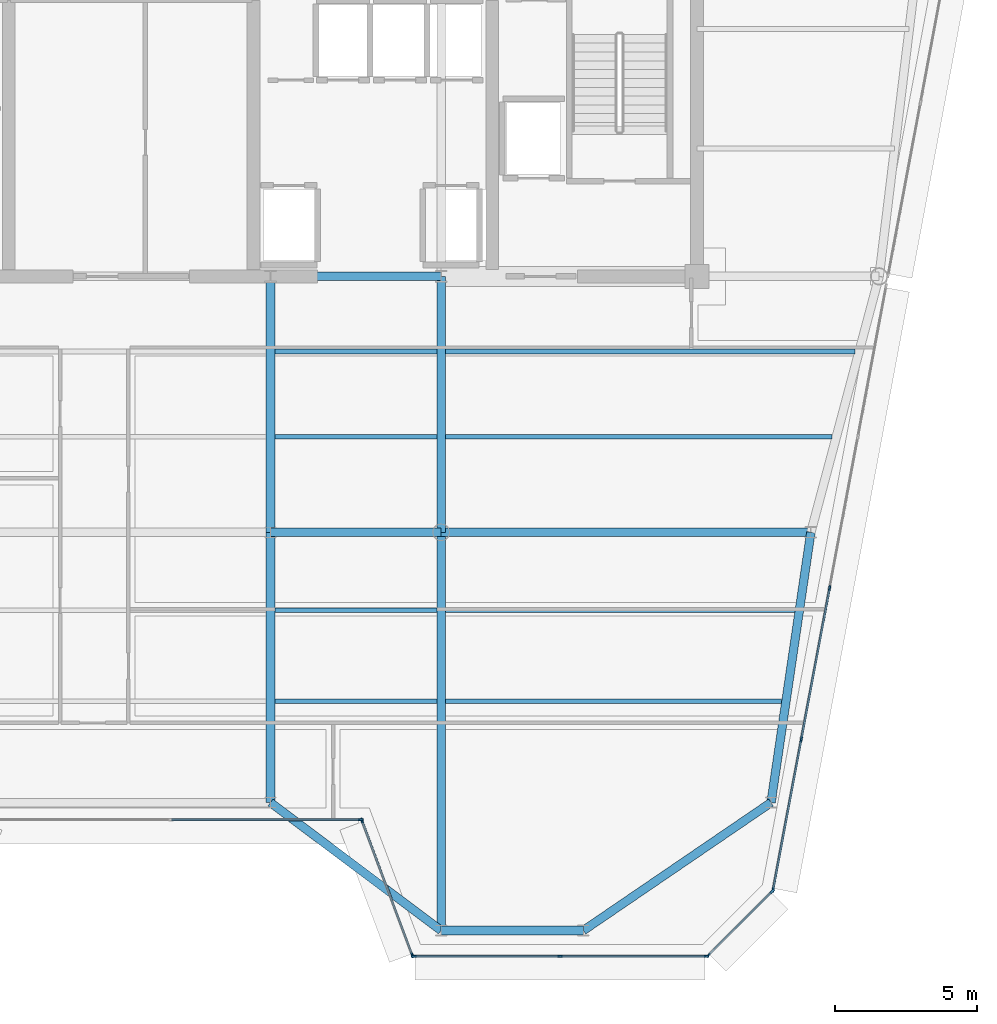
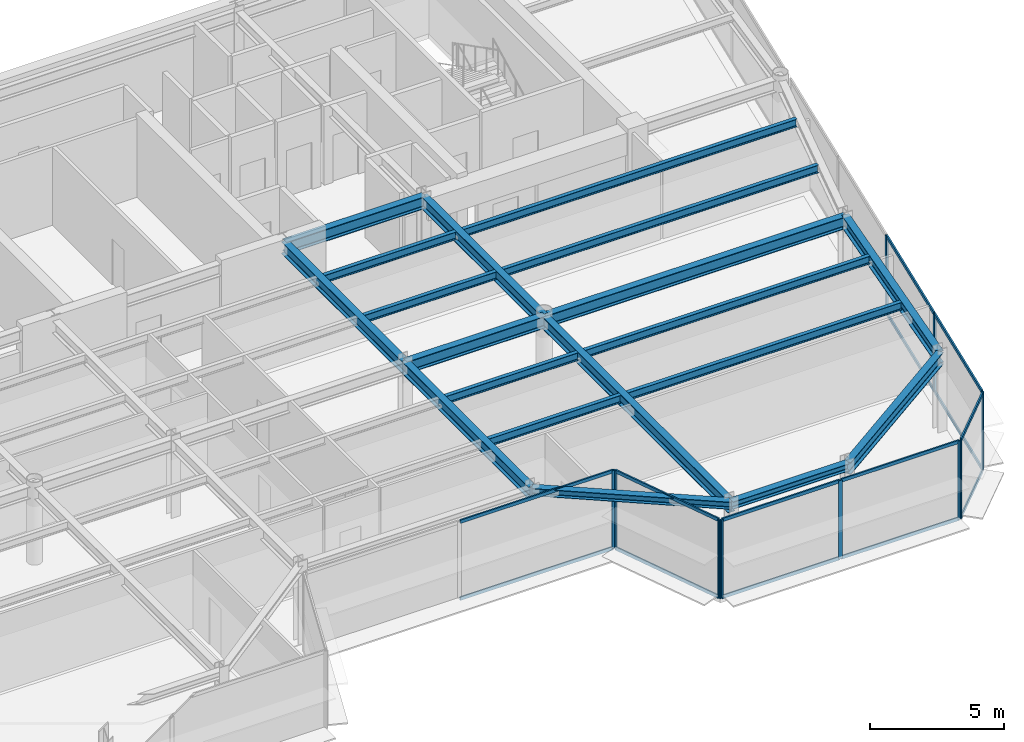
# One storey, part 6 of 19: 25 members, 19 beams, 5 elements without a shape of their own.
"""IFC4 building model written with IfcOpenShell, lengths in metres."""

from ifc_helpers import new_model, si_unit, direction, frame, origin, origin_2d, place, context, subcontext, project, spatial, rectangle, i_section, extrude, source, transform, mapped, material, layer, layer_set, material_profile, profile_set, type_object, element, aggregate, save


model = new_model("IFC4")

# Units and contexts
model_context = context("Model", 3, precision=1e-05, world=origin(), true_north=direction((0.0, 1.0)))
body_context = subcontext(model_context, "Body", "Model", "MODEL_VIEW")
ifc_project = project(units=[si_unit("LENGTHUNIT", "METRE"), si_unit("AREAUNIT", "SQUARE_METRE"), si_unit("VOLUMEUNIT", "CUBIC_METRE"), si_unit("PLANEANGLEUNIT", "RADIAN"), si_unit("MASSUNIT", "GRAM", prefix="KILO")], contexts=[model_context])

# Site, building, storey
site_placement = place(None, origin())
site = spatial("IfcSite", under=ifc_project, at=site_placement, CompositionType="ELEMENT")
building_placement = place(site_placement, origin())
building = spatial("IfcBuilding", under=site, at=building_placement, Name="Vaeldorn Concourse Tower", CompositionType="ELEMENT")
storey_placement = place(building_placement, frame((0.0, 0.0, 276.39990234375)))
storey = spatial("IfcBuildingStorey", under=building, at=storey_placement, Name="L71", CompositionType="ELEMENT", Elevation=276.39990234375)

# Beams
ifc_material_1 = material(Name="Steel S355", Category="steel")
ifc_material_profile_1 = material_profile(ifc_material_1, i_section(OverallWidth=0.300048828125, OverallDepth=0.550048828125, WebThickness=0.014892578125, FlangeThickness=0.029052734375, FilletRadius=0.027099609375, at=origin_2d()), Name="HEB 550")
ifc_profile_set_1 = profile_set([ifc_material_profile_1], Name="Steel S355")
beam_type_1 = type_object("IfcBeamType", Name="BM-PG-HEB550", PredefinedType="BEAM", material=ifc_profile_set_1)
shared_shape_1 = source(origin(), body_context, "Body", "SweptSolid", [
    extrude(i_section(OverallWidth=0.300048828125, OverallDepth=0.550048828125, WebThickness=0.014892578125, FlangeThickness=0.029052734375, FilletRadius=0.027099609375, at=origin_2d()), origin(), (0.0, 0.0, 1.0), 6.0),
])
for number, where, z_axis, x_axis, name in (
    (1, (39.0, 36.5, 3.30517578125), (1.0, 0.0, 0.0), (0.0, 1.0, 0.0), "Beam BM-L71-C-FC4-C-FC5"),
    (2, (39.0, 27.5, 3.30517578125), (1.0, 0.0, 0.0), (0.0, 1.0, 0.0), "Beam BM-L71-C-TW3-C-TW4"),
):
    element("IfcBeam", number, at=place(storey_placement, frame(where, z_axis=z_axis, x_axis=x_axis)), inside=storey, type_object=beam_type_1, Name=name, PredefinedType="BEAM", context=body_context, shape_type="MappedRepresentation", body=[
        mapped(shared_shape_1, transform((0.0, 0.0, 0.0), scale=1.0)),
    ])
shared_shape_2 = source(origin(), body_context, "Body", "SweptSolid", [
    extrude(i_section(OverallWidth=0.300048828125, OverallDepth=0.550048828125, WebThickness=0.014892578125, FlangeThickness=0.029052734375, FilletRadius=0.027099609375, at=origin_2d()), origin(), (0.0, 0.0, 1.0), 9.0),
])
for number, where, z_axis, x_axis, name in (
    (3, (39.0, 27.5, 3.30517578125), (0.0, 1.0, 0.0), (-1.0, 0.0, 0.0), "Beam BM-L71-C-TW3-C-FC4"),
    (4, (45.0, 27.5, 3.30517578125), (0.0, 1.0, 0.0), (-1.0, 0.0, 0.0), "Beam BM-L71-C-TW4-C-FC5"),
):
    element("IfcBeam", number, at=place(storey_placement, frame(where, z_axis=z_axis, x_axis=x_axis)), inside=storey, type_object=beam_type_1, Name=name, PredefinedType="BEAM", context=body_context, shape_type="MappedRepresentation", body=[
        mapped(shared_shape_2, transform((0.0, 0.0, 0.0), scale=1.0)),
    ])
shared_shape_3 = source(origin(), body_context, "Body", "SweptSolid", [
    extrude(i_section(OverallWidth=0.300048828125, OverallDepth=0.550048828125, WebThickness=0.014892578125, FlangeThickness=0.029052734375, FilletRadius=0.027099609375, at=origin_2d()), origin(), (0.0, 0.0, 1.0), 14.0),
])
beam_1_placement = place(storey_placement, frame((45.0, 13.5, 3.30517578125), z_axis=(0.0, 1.0, 0.0), x_axis=(-1.0, 0.0, 0.0)))
element("IfcBeam", 5, at=beam_1_placement, inside=storey, type_object=beam_type_1, Name="Beam BM-L71-C-SF5-C-TW4", PredefinedType="BEAM", context=body_context, shape_type="MappedRepresentation", body=[
    mapped(shared_shape_3, transform((0.0, 0.0, 0.0), scale=1.0)),
])
shared_shape_4 = source(origin(), body_context, "Body", "SweptSolid", [
    extrude(i_section(OverallWidth=0.300048828125, OverallDepth=0.550048828125, WebThickness=0.014892578125, FlangeThickness=0.029052734375, FilletRadius=0.027099609375, at=origin_2d()), origin(), (0.0, 0.0, 1.0), 13.0),
])
beam_2_placement = place(storey_placement, frame((45.0, 27.5, 3.30517578125), z_axis=(1.0, 0.0, 0.0), x_axis=(0.0, 1.0, 0.0)))
element("IfcBeam", 6, at=beam_2_placement, inside=storey, type_object=beam_type_1, Name="Beam BM-L71-C-TW4-C-FLE1", PredefinedType="BEAM", context=body_context, shape_type="MappedRepresentation", body=[
    mapped(shared_shape_4, transform((0.0, 0.0, 0.0), scale=1.0)),
])
shared_shape_5 = source(origin(), body_context, "Body", "SweptSolid", [
    extrude(i_section(OverallWidth=0.300048828125, OverallDepth=0.550048828125, WebThickness=0.014892578125, FlangeThickness=0.029052734375, FilletRadius=0.027099609375, at=origin_2d()), origin(), (0.0, 0.0, 1.0), 9.6025390625),
])
beam_3_placement = place(storey_placement, frame((58.0, 27.5, 3.30517578125), z_axis=(-0.145783835977, -0.989316467652, 0.0), x_axis=(0.989316467652, -0.145783835977, 0.0)))
element("IfcBeam", 7, at=beam_3_placement, inside=storey, type_object=beam_type_1, Name="Beam BM-L71-C-FLE1-C-FLE2", PredefinedType="BEAM", context=body_context, shape_type="MappedRepresentation", body=[
    mapped(shared_shape_5, transform((0.0, 0.0, 0.0), scale=1.0)),
])
shared_shape_6 = source(origin(), body_context, "Body", "SweptSolid", [
    extrude(i_section(OverallWidth=0.300048828125, OverallDepth=0.550048828125, WebThickness=0.014892578125, FlangeThickness=0.029052734375, FilletRadius=0.027099609375, at=origin_2d()), origin(), (0.0, 0.0, 1.0), 9.5),
])
beam_4_placement = place(storey_placement, frame((39.0, 18.0, 3.30517578125), z_axis=(0.0, 1.0, 0.0), x_axis=(-1.0, 0.0, 0.0)))
element("IfcBeam", 8, at=beam_4_placement, inside=storey, type_object=beam_type_1, Name="Beam BM-L71-C-SF4-C-TW3", PredefinedType="BEAM", context=body_context, shape_type="MappedRepresentation", body=[
    mapped(shared_shape_6, transform((0.0, 0.0, 0.0), scale=1.0)),
])
shared_shape_7 = source(origin(), body_context, "Body", "SweptSolid", [
    extrude(i_section(OverallWidth=0.300048828125, OverallDepth=0.550048828125, WebThickness=0.014892578125, FlangeThickness=0.029052734375, FilletRadius=0.027099609375, at=origin_2d()), origin(), (0.0, 0.0, 1.0), 7.98828125),
])
beam_5_placement = place(storey_placement, frame((50.0, 13.5, 3.30517578125), z_axis=(0.826231222393, 0.56333113454, 0.0), x_axis=(-0.56333113454, 0.826231222393, 0.0)))
element("IfcBeam", 9, at=beam_5_placement, inside=storey, type_object=beam_type_1, Name="Beam BM-L71-C-SF6-C-FLE2", PredefinedType="BEAM", context=body_context, shape_type="MappedRepresentation", body=[
    mapped(shared_shape_7, transform((0.0, 0.0, 0.0), scale=1.0)),
])
ifc_material_profile_2 = material_profile(ifc_material_1, i_section(OverallWidth=0.169921875, OverallDepth=0.360107421875, WebThickness=0.008056640625, FlangeThickness=0.0126953125, FilletRadius=0.01806640625, at=origin_2d()), Name="IPE 360")
ifc_profile_set_2 = profile_set([ifc_material_profile_2], Name="Steel S355")
beam_type_2 = type_object("IfcBeamType", Name="BM-JS-IPE360", PredefinedType="JOIST", material=ifc_profile_set_2)
shared_shape_8 = source(origin(), body_context, "Body", "SweptSolid", [
    extrude(i_section(OverallWidth=0.169921875, OverallDepth=0.360107421875, WebThickness=0.008056640625, FlangeThickness=0.0126953125, FilletRadius=0.01806640625, at=origin_2d()), origin(), (0.0, 0.0, 1.0), 5.7001953125),
])
for number, where, z_axis, x_axis, name in (
    (10, (39.14990234375, 21.56005859375, 3.400146484375), (1.0, 0.0, 0.0), (0.0, 1.0, 0.0), "Beam JS-L71-E2-215"),
    (11, (39.14990234375, 24.760009765625, 3.400146484375), (1.0, 0.0, 0.0), (0.0, 1.0, 0.0), "Beam JS-L71-E2-247"),
    (12, (39.14990234375, 30.860107421875, 3.400146484375), (1.0, 0.0, 0.0), (0.0, 1.0, 0.0), "Beam JS-L71-E2-308"),
    (13, (39.14990234375, 33.860107421875, 3.400146484375), (1.0, 0.0, 0.0), (0.0, 1.0, 0.0), "Beam JS-L71-E2-338"),
):
    element("IfcBeam", number, at=place(storey_placement, frame(where, z_axis=z_axis, x_axis=x_axis)), inside=storey, type_object=beam_type_2, Name=name, PredefinedType="JOIST", context=body_context, shape_type="MappedRepresentation", body=[
        mapped(shared_shape_8, transform((0.0, 0.0, 0.0), scale=1.0)),
    ])
ifc_material_profile_3 = material_profile(ifc_material_1, i_section(OverallWidth=0.300048828125, OverallDepth=0.340087890625, WebThickness=0.011962890625, FlangeThickness=0.021484375, FilletRadius=0.027099609375, at=origin_2d()), Name="HEB 340")
ifc_profile_set_3 = profile_set([ifc_material_profile_3], Name="Steel S355")
beam_type_3 = type_object("IfcBeamType", Name="BM-SP-HEB340", PredefinedType="SPANDREL", material=ifc_profile_set_3)
shared_shape_9 = source(origin(), body_context, "Body", "SweptSolid", [
    extrude(i_section(OverallWidth=0.300048828125, OverallDepth=0.340087890625, WebThickness=0.011962890625, FlangeThickness=0.021484375, FilletRadius=0.027099609375, at=origin_2d()), origin(), (0.0, 0.0, 1.0), 5.0),
])
beam_6_placement = place(storey_placement, frame((45.0, 13.5, 3.41015625), z_axis=(1.0, 0.0, 0.0), x_axis=(0.0, 1.0, 0.0)))
element("IfcBeam", 14, at=beam_6_placement, inside=storey, type_object=beam_type_3, Name="Beam BM-L71-C-SF5-C-SF6", PredefinedType="SPANDREL", context=body_context, shape_type="MappedRepresentation", body=[
    mapped(shared_shape_9, transform((0.0, 0.0, 0.0), scale=1.0)),
])
shared_shape_10 = source(origin(), body_context, "Body", "SweptSolid", [
    extrude(i_section(OverallWidth=0.300048828125, OverallDepth=0.340087890625, WebThickness=0.011962890625, FlangeThickness=0.021484375, FilletRadius=0.027099609375, at=origin_2d()), origin(), (0.0, 0.0, 1.0), 7.5),
])
beam_7_placement = place(storey_placement, frame((39.0, 18.0, 3.41015625), z_axis=(0.8, -0.6, 0.0), x_axis=(0.6, 0.8, 0.0)))
element("IfcBeam", 15, at=beam_7_placement, inside=storey, type_object=beam_type_3, Name="Beam BM-L71-C-SF4-C-SF5", PredefinedType="SPANDREL", context=body_context, shape_type="MappedRepresentation", body=[
    mapped(shared_shape_10, transform((0.0, 0.0, 0.0), scale=1.0)),
])
shared_shape_11 = source(origin(), body_context, "Body", "SweptSolid", [
    extrude(i_section(OverallWidth=0.169921875, OverallDepth=0.360107421875, WebThickness=0.008056640625, FlangeThickness=0.0126953125, FilletRadius=0.01806640625, at=origin_2d()), origin(), (0.0, 0.0, 1.0), 11.82470703125),
])
beam_8_placement = place(storey_placement, frame((45.14990234375, 21.56005859375, 3.400146484375), z_axis=(1.0, 0.0, 0.0), x_axis=(0.0, 1.0, 0.0)))
element("IfcBeam", 16, at=beam_8_placement, inside=storey, type_object=beam_type_2, Name="Beam JS-L71-E1-215", PredefinedType="JOIST", context=body_context, shape_type="MappedRepresentation", body=[
    mapped(shared_shape_11, transform((0.0, 0.0, 0.0), scale=1.0)),
])
shared_shape_12 = source(origin(), body_context, "Body", "SweptSolid", [
    extrude(i_section(OverallWidth=0.169921875, OverallDepth=0.360107421875, WebThickness=0.008056640625, FlangeThickness=0.0126953125, FilletRadius=0.01806640625, at=origin_2d()), origin(), (0.0, 0.0, 1.0), 12.29638671875),
])
beam_9_placement = place(storey_placement, frame((45.14990234375, 24.760009765625, 3.400146484375), z_axis=(1.0, 0.0, 0.0), x_axis=(0.0, 1.0, 0.0)))
element("IfcBeam", 17, at=beam_9_placement, inside=storey, type_object=beam_type_2, Name="Beam JS-L71-E1-247", PredefinedType="JOIST", context=body_context, shape_type="MappedRepresentation", body=[
    mapped(shared_shape_12, transform((0.0, 0.0, 0.0), scale=1.0)),
])
shared_shape_13 = source(origin(), body_context, "Body", "SweptSolid", [
    extrude(i_section(OverallWidth=0.169921875, OverallDepth=0.360107421875, WebThickness=0.008056640625, FlangeThickness=0.0126953125, FilletRadius=0.01806640625, at=origin_2d()), origin(), (0.0, 0.0, 1.0), 13.59619140625),
])
beam_10_placement = place(storey_placement, frame((45.14990234375, 30.860107421875, 3.400146484375), z_axis=(1.0, 0.0, 0.0), x_axis=(0.0, 1.0, 0.0)))
element("IfcBeam", 18, at=beam_10_placement, inside=storey, type_object=beam_type_2, Name="Beam JS-L71-E1-308", PredefinedType="JOIST", context=body_context, shape_type="MappedRepresentation", body=[
    mapped(shared_shape_13, transform((0.0, 0.0, 0.0), scale=1.0)),
])
shared_shape_14 = source(origin(), body_context, "Body", "SweptSolid", [
    extrude(i_section(OverallWidth=0.169921875, OverallDepth=0.360107421875, WebThickness=0.008056640625, FlangeThickness=0.0126953125, FilletRadius=0.01806640625, at=origin_2d()), origin(), (0.0, 0.0, 1.0), 14.39599609375),
])
beam_11_placement = place(storey_placement, frame((45.14990234375, 33.860107421875, 3.400146484375), z_axis=(1.0, 0.0, 0.0), x_axis=(0.0, 1.0, 0.0)))
element("IfcBeam", 19, at=beam_11_placement, inside=storey, type_object=beam_type_2, Name="Beam JS-L71-E1-338", PredefinedType="JOIST", context=body_context, shape_type="MappedRepresentation", body=[
    mapped(shared_shape_14, transform((0.0, 0.0, 0.0), scale=1.0)),
])

# Curtain wall, members
ifc_material_2 = material(Name="Anodised Bronze Aluminium", Category="aluminium")
ifc_layer = layer(ifc_material_2, 0.179931640625)
ifc_layer_set = layer_set([ifc_layer], Name="Anodised Bronze Aluminium")
curtain_wall_type = type_object("IfcCurtainWallType", Name="CW-SYS-05", PredefinedType="NOTDEFINED", material=ifc_layer_set)
curtain_wall_1_placement = place(storey_placement, origin())
curtain_wall_1 = element("IfcCurtainWall", 20, at=curtain_wall_1_placement, inside=storey, type_object=curtain_wall_type, Name="Unitised Curtain Wall CW-L71-E04-1", PredefinedType="NOTDEFINED")
ifc_material_profile_4 = material_profile(ifc_material_2, rectangle(XDim=0.06494140625, YDim=0.14990234375, at=origin_2d()), Name="CWT 65x150")
ifc_profile_set_4 = profile_set([ifc_material_profile_4], Name="Anodised Bronze Aluminium")
member_type_1 = type_object("IfcMemberType", Name="CWT-BRONZE-150", PredefinedType="USERDEFINED", material=ifc_profile_set_4)
shared_shape_15 = source(origin(), body_context, "Body", "SweptSolid", [
    extrude(rectangle(XDim=0.06494140625, YDim=0.14990234375, at=origin_2d()), origin(), (0.0, 0.0, 1.0), 4.996337890625),
])
member_1_placement = place(storey_placement, frame((42.222900390625, 17.339111328125, 0.03271484375), z_axis=(0.351134151405, -0.936325161318, 0.0), x_axis=(0.936325161318, 0.351134151405, 0.0)))
member_1 = element("IfcMember", 21, at=member_1_placement, type_object=member_type_1, Name="CW-05 transom 1.1", ObjectType="TRANSOM", PredefinedType="USERDEFINED", context=body_context, shape_type="MappedRepresentation", body=[
    mapped(shared_shape_15, transform((0.0, 0.0, 0.0), scale=1.0)),
])
member_2_placement = place(storey_placement, frame((42.222900390625, 17.339111328125, 3.547607421875), z_axis=(0.351134151405, -0.936325161318, 0.0), x_axis=(0.936325161318, 0.351134151405, 0.0)))
member_2 = element("IfcMember", 22, at=member_2_placement, type_object=member_type_1, Name="CW-05 transom 1.2", ObjectType="TRANSOM", PredefinedType="USERDEFINED", context=body_context, shape_type="MappedRepresentation", body=[
    mapped(shared_shape_15, transform((0.0, 0.0, 0.0), scale=1.0)),
])

curtain_wall_2_placement = place(storey_placement, origin())
curtain_wall_2 = element("IfcCurtainWall", 23, at=curtain_wall_2_placement, inside=storey, type_object=curtain_wall_type, Name="Unitised Curtain Wall CW-L71-E03-1", PredefinedType="NOTDEFINED")
shared_shape_16 = source(origin(), body_context, "Body", "SweptSolid", [
    extrude(rectangle(XDim=0.06494140625, YDim=0.14990234375, at=origin_2d()), origin(), (0.0, 0.0, 1.0), 6.6025390625),
])
member_3_placement = place(storey_placement, frame((35.532470703125, 17.39990234375, 0.03271484375), z_axis=(1.0, 0.0, 0.0), x_axis=(0.0, 1.0, 0.0)))
member_3 = element("IfcMember", 24, at=member_3_placement, type_object=member_type_1, Name="CW-05 transom 2.1", ObjectType="TRANSOM", PredefinedType="USERDEFINED", context=body_context, shape_type="MappedRepresentation", body=[
    mapped(shared_shape_16, transform((0.0, 0.0, 0.0), scale=1.0)),
])
member_4_placement = place(storey_placement, frame((35.532470703125, 17.39990234375, 3.547607421875), z_axis=(1.0, 0.0, 0.0), x_axis=(0.0, 1.0, 0.0)))
member_4 = element("IfcMember", 25, at=member_4_placement, type_object=member_type_1, Name="CW-05 transom 2.2", ObjectType="TRANSOM", PredefinedType="USERDEFINED", context=body_context, shape_type="MappedRepresentation", body=[
    mapped(shared_shape_16, transform((0.0, 0.0, 0.0), scale=1.0)),
])

curtain_wall_3_placement = place(storey_placement, origin())
curtain_wall_3 = element("IfcCurtainWall", 26, at=curtain_wall_3_placement, inside=storey, type_object=curtain_wall_type, Name="Unitised Curtain Wall CW-L71-E06-1", PredefinedType="NOTDEFINED")
shared_shape_17 = source(origin(), body_context, "Body", "SweptSolid", [
    extrude(rectangle(XDim=0.06494140625, YDim=0.14990234375, at=origin_2d()), origin(), (0.0, 0.0, 1.0), 3.12255859375),
])
member_5_placement = place(storey_placement, frame((54.409912109375, 12.64599609375, 0.03271484375), z_axis=(0.707106781187, 0.707106781187, 0.0), x_axis=(-0.707106781187, 0.707106781187, 0.0)))
member_5 = element("IfcMember", 27, at=member_5_placement, type_object=member_type_1, Name="CW-05 transom 1.1", ObjectType="TRANSOM", PredefinedType="USERDEFINED", context=body_context, shape_type="MappedRepresentation", body=[
    mapped(shared_shape_17, transform((0.0, 0.0, 0.0), scale=1.0)),
])
member_6_placement = place(storey_placement, frame((54.409912109375, 12.64599609375, 3.547607421875), z_axis=(0.707106781187, 0.707106781187, 0.0), x_axis=(-0.707106781187, 0.707106781187, 0.0)))
member_6 = element("IfcMember", 28, at=member_6_placement, type_object=member_type_1, Name="CW-05 transom 1.2", ObjectType="TRANSOM", PredefinedType="USERDEFINED", context=body_context, shape_type="MappedRepresentation", body=[
    mapped(shared_shape_17, transform((0.0, 0.0, 0.0), scale=1.0)),
])

# Member
ifc_material_profile_5 = material_profile(ifc_material_2, rectangle(XDim=0.06494140625, YDim=0.169921875, at=origin_2d()), Name="CWM 65x170")
ifc_profile_set_5 = profile_set([ifc_material_profile_5], Name="Anodised Bronze Aluminium")
member_type_2 = type_object("IfcMemberType", Name="CWM-BRONZE-170", PredefinedType="MULLION", material=ifc_profile_set_5)
shared_shape_18 = source(origin(), body_context, "Body", "SweptSolid", [
    extrude(rectangle(XDim=0.06494140625, YDim=0.169921875, at=origin_2d()), origin(), (0.0, 0.0, 1.0), 3.580078125),
])
member_7_placement = place(storey_placement, frame((42.16748046875, 17.39990234375, 0.0), z_axis=(0.0, 0.0, 1.0), x_axis=(0.0, 1.0, 0.0)))
member_7 = element("IfcMember", 29, at=member_7_placement, type_object=member_type_2, Name="CW-05 mullion 3", PredefinedType="MULLION", context=body_context, shape_type="MappedRepresentation", body=[
    mapped(shared_shape_18, transform((0.0, 0.0, 0.0), scale=1.0)),
])

aggregate(curtain_wall_2, [member_7, member_3, member_4])

member_8_placement = place(storey_placement, frame((42.21142578125, 17.36962890625, 0.0), z_axis=(0.0, 0.0, 1.0), x_axis=(0.936329177566, 0.351123441595, 0.0)))
member_8 = element("IfcMember", 30, at=member_8_placement, type_object=member_type_2, Name="CW-05 mullion 1", PredefinedType="MULLION", context=body_context, shape_type="MappedRepresentation", body=[
    mapped(shared_shape_18, transform((0.0, 0.0, 0.0), scale=1.0)),
])

member_9_placement = place(storey_placement, frame((43.988525390625, 12.63037109375, 0.0), z_axis=(0.0, 0.0, 1.0), x_axis=(0.936329177566, 0.351123441595, 0.0)))
member_9 = element("IfcMember", 31, at=member_9_placement, type_object=member_type_2, Name="CW-05 mullion 2", PredefinedType="MULLION", context=body_context, shape_type="MappedRepresentation", body=[
    mapped(shared_shape_18, transform((0.0, 0.0, 0.0), scale=1.0)),
])

aggregate(curtain_wall_1, [member_8, member_9, member_1, member_2])

# Curtain wall, members
curtain_wall_4_placement = place(storey_placement, origin())
curtain_wall_4 = element("IfcCurtainWall", 32, at=curtain_wall_4_placement, inside=storey, type_object=curtain_wall_type, Name="Unitised Curtain Wall CW-L71-E05-1", PredefinedType="NOTDEFINED")
member_10_placement = place(storey_placement, frame((44.032470703125, 12.60009765625, 0.0), z_axis=(0.0, 0.0, 1.0), x_axis=(0.0, 1.0, 0.0)))
member_10 = element("IfcMember", 33, at=member_10_placement, type_object=member_type_2, Name="CW-05 mullion 1", PredefinedType="MULLION", context=body_context, shape_type="MappedRepresentation", body=[
    mapped(shared_shape_18, transform((0.0, 0.0, 0.0), scale=1.0)),
])
member_11_placement = place(storey_placement, frame((49.181884765625, 12.60009765625, 0.0), z_axis=(0.0, 0.0, 1.0), x_axis=(0.0, 1.0, 0.0)))
member_11 = element("IfcMember", 34, at=member_11_placement, type_object=member_type_2, Name="CW-05 mullion 2", PredefinedType="MULLION", context=body_context, shape_type="MappedRepresentation", body=[
    mapped(shared_shape_18, transform((0.0, 0.0, 0.0), scale=1.0)),
])
member_12_placement = place(storey_placement, frame((54.33154296875, 12.60009765625, 0.0), z_axis=(0.0, 0.0, 1.0), x_axis=(0.0, 1.0, 0.0)))
member_12 = element("IfcMember", 35, at=member_12_placement, type_object=member_type_2, Name="CW-05 mullion 3", PredefinedType="MULLION", context=body_context, shape_type="MappedRepresentation", body=[
    mapped(shared_shape_18, transform((0.0, 0.0, 0.0), scale=1.0)),
])

# Member
member_13_placement = place(storey_placement, frame((54.386962890625, 12.623046875, 0.0), z_axis=(0.0, 0.0, 1.0), x_axis=(-0.707106781187, 0.707106781187, 0.0)))
member_13 = element("IfcMember", 36, at=member_13_placement, type_object=member_type_2, Name="CW-05 mullion 1", PredefinedType="MULLION", context=body_context, shape_type="MappedRepresentation", body=[
    mapped(shared_shape_18, transform((0.0, 0.0, 0.0), scale=1.0)),
])

member_14_placement = place(storey_placement, frame((56.64111328125, 14.876953125, 0.0), z_axis=(0.0, 0.0, 1.0), x_axis=(-0.707106781187, 0.707106781187, 0.0)))
member_14 = element("IfcMember", 37, at=member_14_placement, type_object=member_type_2, Name="CW-05 mullion 2", PredefinedType="MULLION", context=body_context, shape_type="MappedRepresentation", body=[
    mapped(shared_shape_18, transform((0.0, 0.0, 0.0), scale=1.0)),
])

aggregate(curtain_wall_3, [member_13, member_14, member_5, member_6])

# Curtain wall, members
curtain_wall_5_placement = place(storey_placement, origin())
curtain_wall_5 = element("IfcCurtainWall", 38, at=curtain_wall_5_placement, inside=storey, type_object=curtain_wall_type, Name="Unitised Curtain Wall CW-L71-E07-1", PredefinedType="NOTDEFINED")
member_15_placement = place(storey_placement, frame((56.669921875, 14.931884765625, 0.0), z_axis=(0.0, 0.0, 1.0), x_axis=(-0.982880027444, 0.184246714088, 0.0)))
member_15 = element("IfcMember", 39, at=member_15_placement, type_object=member_type_2, Name="CW-05 mullion 1", PredefinedType="MULLION", context=body_context, shape_type="MappedRepresentation", body=[
    mapped(shared_shape_18, transform((0.0, 0.0, 0.0), scale=1.0)),
])
member_16_placement = place(storey_placement, frame((57.66162109375, 20.22119140625, 0.0), z_axis=(0.0, 0.0, 1.0), x_axis=(-0.982880027444, 0.184246714088, 0.0)))
member_16 = element("IfcMember", 40, at=member_16_placement, type_object=member_type_2, Name="CW-05 mullion 2", PredefinedType="MULLION", context=body_context, shape_type="MappedRepresentation", body=[
    mapped(shared_shape_18, transform((0.0, 0.0, 0.0), scale=1.0)),
])
member_17_placement = place(storey_placement, frame((58.658935546875, 25.54248046875, 0.0), z_axis=(0.0, 0.0, 1.0), x_axis=(-0.982880027444, 0.184246714088, 0.0)))
member_17 = element("IfcMember", 41, at=member_17_placement, type_object=member_type_2, Name="CW-05 mullion 3", PredefinedType="MULLION", context=body_context, shape_type="MappedRepresentation", body=[
    mapped(shared_shape_18, transform((0.0, 0.0, 0.0), scale=1.0)),
])
shared_shape_19 = source(origin(), body_context, "Body", "SweptSolid", [
    extrude(rectangle(XDim=0.06494140625, YDim=0.14990234375, at=origin_2d()), origin(), (0.0, 0.0, 1.0), 5.31640625),
])
member_18_placement = place(storey_placement, frame((56.676025390625, 14.9638671875, 0.03271484375), z_axis=(0.184241399207, 0.982881023735, 0.0), x_axis=(-0.982881023735, 0.184241399207, 0.0)))
member_18 = element("IfcMember", 42, at=member_18_placement, type_object=member_type_1, Name="CW-05 transom 1.1", ObjectType="TRANSOM", PredefinedType="USERDEFINED", context=body_context, shape_type="MappedRepresentation", body=[
    mapped(shared_shape_19, transform((0.0, 0.0, 0.0), scale=1.0)),
])
member_19_placement = place(storey_placement, frame((56.676025390625, 14.9638671875, 3.547607421875), z_axis=(0.184241399207, 0.982881023735, 0.0), x_axis=(-0.982881023735, 0.184241399207, 0.0)))
member_19 = element("IfcMember", 43, at=member_19_placement, type_object=member_type_1, Name="CW-05 transom 1.2", ObjectType="TRANSOM", PredefinedType="USERDEFINED", context=body_context, shape_type="MappedRepresentation", body=[
    mapped(shared_shape_19, transform((0.0, 0.0, 0.0), scale=1.0)),
])
shared_shape_20 = source(origin(), body_context, "Body", "SweptSolid", [
    extrude(rectangle(XDim=0.06494140625, YDim=0.14990234375, at=origin_2d()), origin(), (0.0, 0.0, 1.0), 5.348876953125),
])
member_20_placement = place(storey_placement, frame((57.66748046875, 20.253173828125, 0.03271484375), z_axis=(0.184260976912, 0.982877353685, 0.0), x_axis=(-0.982877353685, 0.184260976912, 0.0)))
member_20 = element("IfcMember", 44, at=member_20_placement, type_object=member_type_1, Name="CW-05 transom 2.1", ObjectType="TRANSOM", PredefinedType="USERDEFINED", context=body_context, shape_type="MappedRepresentation", body=[
    mapped(shared_shape_20, transform((0.0, 0.0, 0.0), scale=1.0)),
])
member_21_placement = place(storey_placement, frame((57.66748046875, 20.253173828125, 3.547607421875), z_axis=(0.184260976912, 0.982877353685, 0.0), x_axis=(-0.982877353685, 0.184260976912, 0.0)))
member_21 = element("IfcMember", 45, at=member_21_placement, type_object=member_type_1, Name="CW-05 transom 2.2", ObjectType="TRANSOM", PredefinedType="USERDEFINED", context=body_context, shape_type="MappedRepresentation", body=[
    mapped(shared_shape_20, transform((0.0, 0.0, 0.0), scale=1.0)),
])
aggregate(curtain_wall_5, [member_15, member_16, member_17, member_18, member_19, member_20, member_21])

# Member
shared_shape_21 = source(origin(), body_context, "Body", "SweptSolid", [
    extrude(rectangle(XDim=0.06494140625, YDim=0.14990234375, at=origin_2d()), origin(), (0.0, 0.0, 1.0), 5.08447265625),
])
member_22_placement = place(storey_placement, frame((44.06494140625, 12.60009765625, 0.03271484375), z_axis=(1.0, 0.0, 0.0), x_axis=(0.0, 1.0, 0.0)))
member_22 = element("IfcMember", 46, at=member_22_placement, type_object=member_type_1, Name="CW-05 transom 1.1", ObjectType="TRANSOM", PredefinedType="USERDEFINED", context=body_context, shape_type="MappedRepresentation", body=[
    mapped(shared_shape_21, transform((0.0, 0.0, 0.0), scale=1.0)),
])

member_23_placement = place(storey_placement, frame((44.06494140625, 12.60009765625, 3.547607421875), z_axis=(1.0, 0.0, 0.0), x_axis=(0.0, 1.0, 0.0)))
member_23 = element("IfcMember", 47, at=member_23_placement, type_object=member_type_1, Name="CW-05 transom 1.2", ObjectType="TRANSOM", PredefinedType="USERDEFINED", context=body_context, shape_type="MappedRepresentation", body=[
    mapped(shared_shape_21, transform((0.0, 0.0, 0.0), scale=1.0)),
])

member_24_placement = place(storey_placement, frame((49.214599609375, 12.60009765625, 0.03271484375), z_axis=(1.0, 0.0, 0.0), x_axis=(0.0, 1.0, 0.0)))
member_24 = element("IfcMember", 48, at=member_24_placement, type_object=member_type_1, Name="CW-05 transom 2.1", ObjectType="TRANSOM", PredefinedType="USERDEFINED", context=body_context, shape_type="MappedRepresentation", body=[
    mapped(shared_shape_21, transform((0.0, 0.0, 0.0), scale=1.0)),
])

member_25_placement = place(storey_placement, frame((49.214599609375, 12.60009765625, 3.547607421875), z_axis=(1.0, 0.0, 0.0), x_axis=(0.0, 1.0, 0.0)))
member_25 = element("IfcMember", 49, at=member_25_placement, type_object=member_type_1, Name="CW-05 transom 2.2", ObjectType="TRANSOM", PredefinedType="USERDEFINED", context=body_context, shape_type="MappedRepresentation", body=[
    mapped(shared_shape_21, transform((0.0, 0.0, 0.0), scale=1.0)),
])

aggregate(curtain_wall_4, [member_10, member_11, member_12, member_22, member_23, member_24, member_25])

save(model, "model.ifc")
